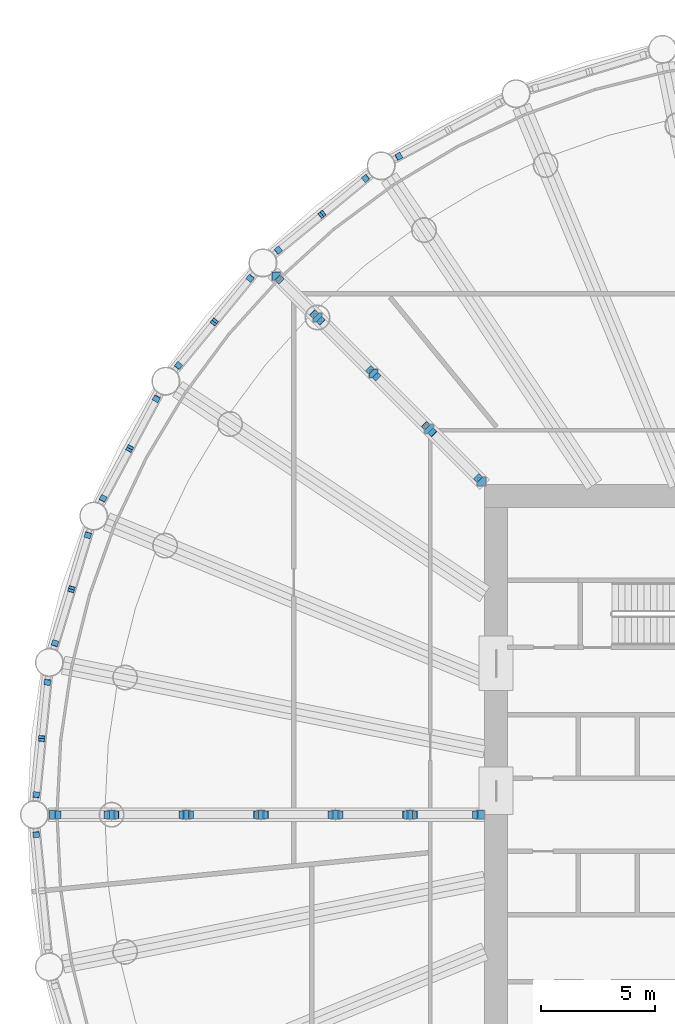
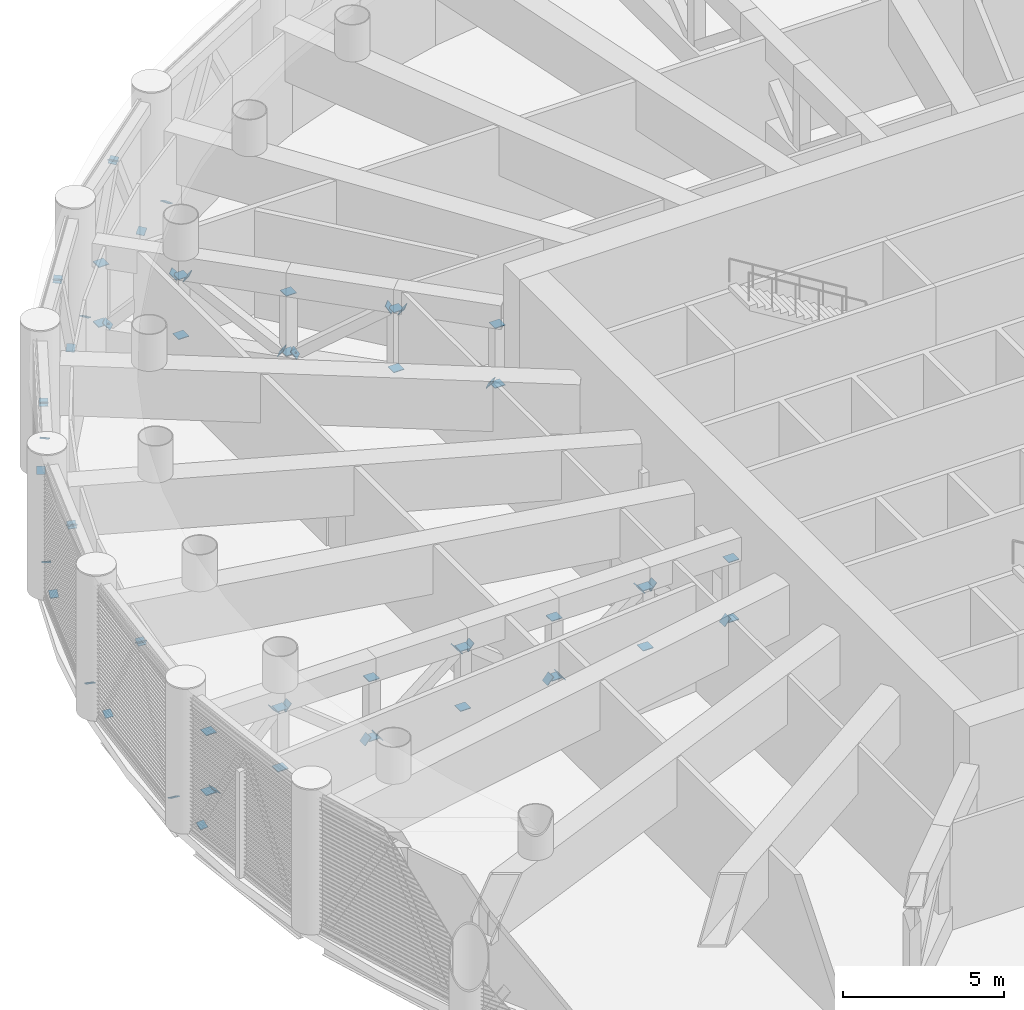
# One storey, part 18 of 29: 66 discrete accessories.
"""IFC4 building model written with IfcOpenShell, lengths in metres."""

from ifc_helpers import new_model, si_unit, direction, frame, origin, origin_2d, place, context, subcontext, project, spatial, rectangle, extrude, material, material_profile, profile_set, type_object, element, save


model = new_model("IFC4")

# Units and contexts
model_context = context("Model", 3, precision=1e-05, world=origin(), true_north=direction((0.0, 1.0)))
body_context = subcontext(model_context, "Body", "Model", "MODEL_VIEW")
ifc_project = project(units=[si_unit("LENGTHUNIT", "METRE"), si_unit("AREAUNIT", "SQUARE_METRE"), si_unit("VOLUMEUNIT", "CUBIC_METRE"), si_unit("PLANEANGLEUNIT", "RADIAN"), si_unit("MASSUNIT", "GRAM", prefix="KILO")], contexts=[model_context])

# Site, building, storey
site_placement = place(None, origin())
site = spatial("IfcSite", under=ifc_project, at=site_placement, CompositionType="ELEMENT")
building_placement = place(site_placement, origin())
building = spatial("IfcBuilding", under=site, at=building_placement, Name="Corvane Civic Tower", CompositionType="ELEMENT")
storey_placement = place(building_placement, frame((0.0, 0.0, 138.5)))
storey = spatial("IfcBuildingStorey", under=building, at=storey_placement, Name="L32", CompositionType="ELEMENT", Elevation=138.5)

# Discrete accessories
ifc_material_1 = material(Name="Steel ASTM A572 Gr 50", Category="steel")
ifc_material_profile_1 = material_profile(ifc_material_1, rectangle(XDim=0.2802734375, YDim=0.2802734375, at=origin_2d()), Name="GUSSET PLATE 25 IN HSS12X12X1/2")
ifc_profile_set_1 = profile_set([ifc_material_profile_1], Name="Steel ASTM A572 Gr 50")
discrete_accessory_type_1 = type_object("IfcDiscreteAccessoryType", Name="GUSSET PLATE 25 IN HSS12X12X1/2", PredefinedType="BRACKET", material=ifc_profile_set_1)
for number, where, z_axis, x_axis, name in (
    (1, (-34.21435546875, -0.870849609375, 0.406494140625), (0.049340770535, -0.493407705348, 0.868397561412), (0.99503719021, 0.099503719021, 0.0), "Gusset plate BD1 end A"),
    (2, (-34.21435546875, 0.870849609375, 0.406494140625), (0.049340770535, 0.493407705348, 0.868397561412), (-0.99503719021, 0.099503719021, 0.0), "Gusset plate BD1 end A"),
):
    element("IfcDiscreteAccessory", number, at=place(storey_placement, frame(where, z_axis=z_axis, x_axis=x_axis)), inside=storey, type_object=discrete_accessory_type_1, Name=name, PredefinedType="BRACKET", context=body_context, shape_type="SweptSolid", body=[
        extrude(rectangle(XDim=0.2802734375, YDim=0.2802734375, at=origin_2d()), origin(), (0.0, 0.0, 1.0), 0.024658203125),
    ])
discrete_accessory_1_placement = place(storey_placement, frame((-33.970458984375, 3.345947265625, 4.74365234375), z_axis=(-0.048686161046, -0.496598842672, -0.866613666624), x_axis=(0.99522852512, -0.097571424031, 0.0)))
element("IfcDiscreteAccessory", 3, at=discrete_accessory_1_placement, inside=storey, type_object=discrete_accessory_type_1, Name="Gusset plate BD1 end B", PredefinedType="BRACKET", context=body_context, shape_type="SweptSolid", body=[
    extrude(rectangle(XDim=0.2802734375, YDim=0.2802734375, at=origin_2d()), origin(), (0.0, 0.0, 1.0), 0.025146484375),
])
discrete_accessory_2_placement = place(storey_placement, frame((-33.7265625, 5.82080078125, 0.406494140625), z_axis=(-0.049340770535, -0.493407705348, 0.868397561412), x_axis=(0.99503719021, -0.099503719021, 0.0)))
element("IfcDiscreteAccessory", 4, at=discrete_accessory_2_placement, inside=storey, type_object=discrete_accessory_type_1, Name="Gusset plate BD1 end A", PredefinedType="BRACKET", context=body_context, shape_type="SweptSolid", body=[
    extrude(rectangle(XDim=0.2802734375, YDim=0.2802734375, at=origin_2d()), origin(), (0.0, 0.0, 1.0), 0.024658203125),
])
discrete_accessory_3_placement = place(storey_placement, frame((-33.970458984375, 3.345947265625, 4.74365234375), z_axis=(0.048920962564, 0.489209625642, -0.870793133643), x_axis=(-0.99503719021, 0.099503719021, 0.0)))
element("IfcDiscreteAccessory", 5, at=discrete_accessory_3_placement, inside=storey, type_object=discrete_accessory_type_1, Name="Gusset plate BD1 end B", PredefinedType="BRACKET", context=body_context, shape_type="SweptSolid", body=[
    extrude(rectangle(XDim=0.2802734375, YDim=0.2802734375, at=origin_2d()), origin(), (0.0, 0.0, 1.0), 0.02490234375),
])
discrete_accessory_4_placement = place(storey_placement, frame((-33.386962890625, 7.529052734375, 0.406494140625), z_axis=(0.147993491061, 0.473579171394, 0.868228480888), x_axis=(-0.954479978035, 0.298274993136, 0.0)))
element("IfcDiscreteAccessory", 6, at=discrete_accessory_4_placement, inside=storey, type_object=discrete_accessory_type_1, Name="Gusset plate BD1 end A", PredefinedType="BRACKET", context=body_context, shape_type="SweptSolid", body=[
    extrude(rectangle(XDim=0.2802734375, YDim=0.2802734375, at=origin_2d()), origin(), (0.0, 0.0, 1.0), 0.024658203125),
])
discrete_accessory_5_placement = place(storey_placement, frame((-32.6650390625, 9.90869140625, 4.74365234375), z_axis=(-0.137142902838, -0.470204238302, -0.871837025185), x_axis=(0.96, -0.28, 0.0)))
element("IfcDiscreteAccessory", 7, at=discrete_accessory_5_placement, inside=storey, type_object=discrete_accessory_type_1, Name="Gusset plate BD1 end B", PredefinedType="BRACKET", context=body_context, shape_type="SweptSolid", body=[
    extrude(rectangle(XDim=0.2802734375, YDim=0.2802734375, at=origin_2d()), origin(), (0.0, 0.0, 1.0), 0.02490234375),
])
discrete_accessory_6_placement = place(storey_placement, frame((-31.94287109375, 12.28857421875, 0.406494140625), z_axis=(-0.147993491061, -0.473579171394, 0.868228480888), x_axis=(0.954479978035, -0.298274993136, 0.0)))
element("IfcDiscreteAccessory", 8, at=discrete_accessory_6_placement, inside=storey, type_object=discrete_accessory_type_1, Name="Gusset plate BD1 end A", PredefinedType="BRACKET", context=body_context, shape_type="SweptSolid", body=[
    extrude(rectangle(XDim=0.2802734375, YDim=0.2802734375, at=origin_2d()), origin(), (0.0, 0.0, 1.0), 0.024658203125),
])
discrete_accessory_7_placement = place(storey_placement, frame((-32.6650390625, 9.90869140625, 4.74365234375), z_axis=(0.146058483139, 0.477124378254, -0.866613666624), x_axis=(-0.956199955507, 0.292714272094, 0.0)))
element("IfcDiscreteAccessory", 9, at=discrete_accessory_7_placement, inside=storey, type_object=discrete_accessory_type_1, Name="Gusset plate BD1 end B", PredefinedType="BRACKET", context=body_context, shape_type="SweptSolid", body=[
    extrude(rectangle(XDim=0.2802734375, YDim=0.2802734375, at=origin_2d()), origin(), (0.0, 0.0, 1.0), 0.025146484375),
])
discrete_accessory_8_placement = place(storey_placement, frame((-31.276611328125, 13.897705078125, 0.406494140625), z_axis=(0.2359641329, 0.442432749188, 0.865201820635), x_axis=(-0.882352941176, 0.470588235294, 0.0)))
element("IfcDiscreteAccessory", 10, at=discrete_accessory_8_placement, inside=storey, type_object=discrete_accessory_type_1, Name="Gusset plate BD1 end A", PredefinedType="BRACKET", context=body_context, shape_type="SweptSolid", body=[
    extrude(rectangle(XDim=0.2802734375, YDim=0.2802734375, at=origin_2d()), origin(), (0.0, 0.0, 1.0), 0.02490234375),
])
discrete_accessory_9_placement = place(storey_placement, frame((-30.104248046875, 16.091064453125, 4.74365234375), z_axis=(-0.233971033255, -0.438695687352, -0.867642581652), x_axis=(0.882352941176, -0.470588235294, 0.0)))
element("IfcDiscreteAccessory", 11, at=discrete_accessory_9_placement, inside=storey, type_object=discrete_accessory_type_1, Name="Gusset plate BD1 end B", PredefinedType="BRACKET", context=body_context, shape_type="SweptSolid", body=[
    extrude(rectangle(XDim=0.2802734375, YDim=0.2802734375, at=origin_2d()), origin(), (0.0, 0.0, 1.0), 0.025146484375),
])
discrete_accessory_10_placement = place(storey_placement, frame((-28.931640625, 18.284423828125, 0.406494140625), z_axis=(-0.2359641329, -0.442432749188, 0.865201820635), x_axis=(0.882352941176, -0.470588235294, 0.0)))
element("IfcDiscreteAccessory", 12, at=discrete_accessory_10_placement, inside=storey, type_object=discrete_accessory_type_1, Name="Gusset plate BD1 end A", PredefinedType="BRACKET", context=body_context, shape_type="SweptSolid", body=[
    extrude(rectangle(XDim=0.2802734375, YDim=0.2802734375, at=origin_2d()), origin(), (0.0, 0.0, 1.0), 0.02490234375),
])
discrete_accessory_11_placement = place(storey_placement, frame((-30.104248046875, 16.091064453125, 4.74365234375), z_axis=(0.233971033255, 0.438695687352, -0.867642581652), x_axis=(-0.882352941176, 0.470588235294, 0.0)))
element("IfcDiscreteAccessory", 13, at=discrete_accessory_11_placement, inside=storey, type_object=discrete_accessory_type_1, Name="Gusset plate BD1 end B", PredefinedType="BRACKET", context=body_context, shape_type="SweptSolid", body=[
    extrude(rectangle(XDim=0.2802734375, YDim=0.2802734375, at=origin_2d()), origin(), (0.0, 0.0, 1.0), 0.025146484375),
])
discrete_accessory_12_placement = place(storey_placement, frame((-27.964111328125, 19.732421875, 0.406494140625), z_axis=(0.314269680527, 0.392837100659, 0.86424162145), x_axis=(-0.780868809443, 0.624695047554, 0.0)))
element("IfcDiscreteAccessory", 14, at=discrete_accessory_12_placement, inside=storey, type_object=discrete_accessory_type_1, Name="Gusset plate BD1 end A", PredefinedType="BRACKET", context=body_context, shape_type="SweptSolid", body=[
    extrude(rectangle(XDim=0.2802734375, YDim=0.2802734375, at=origin_2d()), origin(), (0.0, 0.0, 1.0), 0.02490234375),
])
discrete_accessory_13_placement = place(storey_placement, frame((-26.386474609375, 21.655029296875, 4.74365234375), z_axis=(-0.311620978032, -0.38952622254, -0.866695845152), x_axis=(0.780868809443, -0.624695047554, 0.0)))
element("IfcDiscreteAccessory", 15, at=discrete_accessory_13_placement, inside=storey, type_object=discrete_accessory_type_1, Name="Gusset plate BD1 end B", PredefinedType="BRACKET", context=body_context, shape_type="SweptSolid", body=[
    extrude(rectangle(XDim=0.2802734375, YDim=0.2802734375, at=origin_2d()), origin(), (0.0, 0.0, 1.0), 0.025146484375),
])
for number, where, z_axis, x_axis, name in (
    (16, (-24.808837890625, 23.577392578125, 0.406494140625), (-0.314269680527, -0.392837100659, 0.86424162145), (0.780868809443, -0.624695047554, 0.0), "Gusset plate BD1 end A"),
    (17, (-26.386474609375, 21.655029296875, 4.74365234375), (0.312794863755, 0.381218740201, -0.869960714819), (-0.773073370483, 0.634316611678, 0.0), "Gusset plate BD1 end B"),
    (18, (-23.577392578125, 24.808837890625, 0.406494140625), (0.392837100659, 0.314269680527, 0.86424162145), (-0.624695047554, 0.780868809443, 0.0), "Gusset plate BD1 end A"),
    (19, (-21.655029296875, 26.386474609375, 4.74365234375), (-0.381218740201, -0.312794863755, -0.869960714819), (0.634316611678, -0.773073370483, 0.0), "Gusset plate BD1 end B"),
    (20, (-19.732421875, 27.964111328125, 0.406494140625), (-0.392837100659, -0.314269680527, 0.86424162145), (0.624695047554, -0.780868809443, 0.0), "Gusset plate BD1 end A"),
):
    element("IfcDiscreteAccessory", number, at=place(storey_placement, frame(where, z_axis=z_axis, x_axis=x_axis)), inside=storey, type_object=discrete_accessory_type_1, Name=name, PredefinedType="BRACKET", context=body_context, shape_type="SweptSolid", body=[
        extrude(rectangle(XDim=0.2802734375, YDim=0.2802734375, at=origin_2d()), origin(), (0.0, 0.0, 1.0), 0.02490234375),
    ])
discrete_accessory_14_placement = place(storey_placement, frame((-21.655029296875, 26.386474609375, 4.74365234375), z_axis=(0.38952622254, 0.311620978032, -0.866695845152), x_axis=(-0.624695047554, 0.780868809443, 0.0)))
element("IfcDiscreteAccessory", 21, at=discrete_accessory_14_placement, inside=storey, type_object=discrete_accessory_type_1, Name="Gusset plate BD1 end B", PredefinedType="BRACKET", context=body_context, shape_type="SweptSolid", body=[
    extrude(rectangle(XDim=0.2802734375, YDim=0.2802734375, at=origin_2d()), origin(), (0.0, 0.0, 1.0), 0.025146484375),
])
discrete_accessory_15_placement = place(storey_placement, frame((-18.284423828125, 28.931640625, 0.406494140625), z_axis=(0.442432749188, 0.2359641329, 0.865201820635), x_axis=(-0.470588235294, 0.882352941176, 0.0)))
element("IfcDiscreteAccessory", 22, at=discrete_accessory_15_placement, inside=storey, type_object=discrete_accessory_type_1, Name="Gusset plate BD1 end A", PredefinedType="BRACKET", context=body_context, shape_type="SweptSolid", body=[
    extrude(rectangle(XDim=0.2802734375, YDim=0.2802734375, at=origin_2d()), origin(), (0.0, 0.0, 1.0), 0.02490234375),
])
ifc_material_2 = material(Name="Steel ASTM A572 Gr 50", Category="steel")
ifc_material_profile_2 = material_profile(ifc_material_2, rectangle(XDim=0.3310546875, YDim=0.3310546875, at=origin_2d()), Name="GUSSET PLATE 25 IN HSS14X14X1/2")
ifc_profile_set_2 = profile_set([ifc_material_profile_2], Name="Steel ASTM A572 Gr 50")
discrete_accessory_type_2 = type_object("IfcDiscreteAccessoryType", Name="GUSSET PLATE 25 IN HSS14X14X1/2", PredefinedType="BRACKET", material=ifc_profile_set_2)
discrete_accessory_16_placement = place(storey_placement, frame((-14.906494140625, 0.0, 0.89990234375), z_axis=(-0.75439456107, 0.0, 0.656421241451), x_axis=(0.0, -1.0, 0.0)))
element("IfcDiscreteAccessory", 23, at=discrete_accessory_16_placement, inside=storey, type_object=discrete_accessory_type_2, Name="Gusset plate OD1 end A", PredefinedType="BRACKET", context=body_context, shape_type="SweptSolid", body=[
    extrude(rectangle(XDim=0.3310546875, YDim=0.3310546875, at=origin_2d()), origin(), (0.0, 0.0, 1.0), 0.02490234375),
])
discrete_accessory_17_placement = place(storey_placement, frame((-17.576904296875, 0.0, 3.199951171875), z_axis=(0.75856969154, 0.0, -0.651591914528), x_axis=(0.0, 1.0, 0.0)))
element("IfcDiscreteAccessory", 24, at=discrete_accessory_17_placement, inside=storey, type_object=discrete_accessory_type_2, Name="Gusset plate OD1 end B", PredefinedType="BRACKET", context=body_context, shape_type="SweptSolid", body=[
    extrude(rectangle(XDim=0.3310546875, YDim=0.3310546875, at=origin_2d()), origin(), (0.0, 0.0, 1.0), 0.025146484375),
])
for number, where, z_axis, x_axis, name in (
    (25, (-17.983154296875, 0.0, 3.199951171875), (-0.780868809443, 0.0, -0.624695047554), (0.0, -1.0, 0.0), "Gusset plate OD1 end A"),
    (26, (-20.856689453125, 0.0, 0.89990234375), (0.780868809443, 0.0, 0.624695047554), (0.0, 1.0, 0.0), "Gusset plate OD1 end B"),
    (27, (-21.26318359375, 0.0, 0.89990234375), (-0.780868809443, 0.0, 0.624695047554), (0.0, -1.0, 0.0), "Gusset plate OD1 end A"),
    (28, (-24.13671875, 0.0, 3.199951171875), (0.780868809443, 0.0, -0.624695047554), (0.0, 1.0, 0.0), "Gusset plate OD1 end B"),
    (29, (-24.543212890625, 0.0, 3.199951171875), (-0.780868809443, 0.0, -0.624695047554), (0.0, -1.0, 0.0), "Gusset plate OD1 end A"),
    (30, (-27.416748046875, 0.0, 0.89990234375), (0.780868809443, 0.0, 0.624695047554), (0.0, 1.0, 0.0), "Gusset plate OD1 end B"),
    (31, (-27.8232421875, 0.0, 0.89990234375), (-0.780868809443, 0.0, 0.624695047554), (0.0, -1.0, 0.0), "Gusset plate OD1 end A"),
    (32, (-30.69677734375, 0.0, 3.199951171875), (0.780868809443, 0.0, -0.624695047554), (0.0, 1.0, 0.0), "Gusset plate OD1 end B"),
    (33, (-31.103271484375, 0.0, 3.199951171875), (-0.687199853876, 0.0, -0.726468416955), (0.0, -1.0, 0.0), "Gusset plate OD1 end A"),
):
    element("IfcDiscreteAccessory", number, at=place(storey_placement, frame(where, z_axis=z_axis, x_axis=x_axis)), inside=storey, type_object=discrete_accessory_type_2, Name=name, PredefinedType="BRACKET", context=body_context, shape_type="SweptSolid", body=[
        extrude(rectangle(XDim=0.3310546875, YDim=0.3310546875, at=origin_2d()), origin(), (0.0, 0.0, 1.0), 0.02490234375),
    ])
discrete_accessory_18_placement = place(storey_placement, frame((-33.2685546875, 0.0, 0.89990234375), z_axis=(0.68231825036, 0.0, 0.731055268243), x_axis=(0.0, 1.0, 0.0)))
element("IfcDiscreteAccessory", 34, at=discrete_accessory_18_placement, inside=storey, type_object=discrete_accessory_type_2, Name="Gusset plate OD1 end B", PredefinedType="BRACKET", context=body_context, shape_type="SweptSolid", body=[
    extrude(rectangle(XDim=0.3310546875, YDim=0.3310546875, at=origin_2d()), origin(), (0.0, 0.0, 1.0), 0.025146484375),
])
for number, where, z_axis, x_axis, name in (
    (35, (-14.787353515625, 14.787353515625, 0.89990234375), (-0.546582129591, 0.546582129591, 0.634425686132), (-0.707106781187, -0.707106781187, 0.0), "Gusset plate OD1 end A"),
    (36, (-16.80615234375, 16.80615234375, 3.199951171875), (0.549971940923, -0.549971940923, -0.628539361055), (0.707106781187, 0.707106781187, 0.0), "Gusset plate OD1 end B"),
    (37, (-17.093505859375, 17.093505859375, 3.199951171875), (-0.567401695188, 0.567401695188, -0.596750058732), (-0.707106781187, -0.707106781187, 0.0), "Gusset plate OD1 end A"),
):
    element("IfcDiscreteAccessory", number, at=place(storey_placement, frame(where, z_axis=z_axis, x_axis=x_axis)), inside=storey, type_object=discrete_accessory_type_2, Name=name, PredefinedType="BRACKET", context=body_context, shape_type="SweptSolid", body=[
        extrude(rectangle(XDim=0.3310546875, YDim=0.3310546875, at=origin_2d()), origin(), (0.0, 0.0, 1.0), 0.02490234375),
    ])
for number, where, z_axis, x_axis, name in (
    (38, (-19.256103515625, 19.256103515625, 0.89990234375), (0.564091319087, -0.564091319087, 0.602994168679), (0.707106781187, 0.707106781187, 0.0), "Gusset plate OD1 end B"),
    (39, (-19.54345703125, 19.54345703125, 0.89990234375), (-0.564091319087, 0.564091319087, 0.602994168679), (-0.707106781187, -0.707106781187, 0.0), "Gusset plate OD1 end A"),
):
    element("IfcDiscreteAccessory", number, at=place(storey_placement, frame(where, z_axis=z_axis, x_axis=x_axis)), inside=storey, type_object=discrete_accessory_type_2, Name=name, PredefinedType="BRACKET", context=body_context, shape_type="SweptSolid", body=[
        extrude(rectangle(XDim=0.3310546875, YDim=0.3310546875, at=origin_2d()), origin(), (0.0, 0.0, 1.0), 0.025146484375),
    ])
discrete_accessory_19_placement = place(storey_placement, frame((-21.705810546875, 21.705810546875, 3.199951171875), z_axis=(0.563859180868, -0.563859180868, -0.603428246192), x_axis=(0.707106781187, 0.707106781187, 0.0)))
element("IfcDiscreteAccessory", 40, at=discrete_accessory_19_placement, inside=storey, type_object=discrete_accessory_type_2, Name="Gusset plate OD1 end B", PredefinedType="BRACKET", context=body_context, shape_type="SweptSolid", body=[
    extrude(rectangle(XDim=0.3310546875, YDim=0.3310546875, at=origin_2d()), origin(), (0.0, 0.0, 1.0), 0.024658203125),
])
for number, where, z_axis, x_axis, name in (
    (41, (-21.9931640625, 21.9931640625, 3.199951171875), (-0.488508651467, 0.488508651467, -0.722992804171), (-0.707106781187, -0.707106781187, 0.0), "Gusset plate OD1 end A"),
    (42, (-23.5244140625, 23.5244140625, 0.89990234375), (0.479862037013, -0.479862037013, 0.734482709713), (0.707106781187, 0.707106781187, 0.0), "Gusset plate OD1 end B"),
):
    element("IfcDiscreteAccessory", number, at=place(storey_placement, frame(where, z_axis=z_axis, x_axis=x_axis)), inside=storey, type_object=discrete_accessory_type_2, Name=name, PredefinedType="BRACKET", context=body_context, shape_type="SweptSolid", body=[
        extrude(rectangle(XDim=0.3310546875, YDim=0.3310546875, at=origin_2d()), origin(), (0.0, 0.0, 1.0), 0.02490234375),
    ])
ifc_material_3 = material(Name="Steel ASTM A572 Gr 50", Category="steel")
ifc_material_profile_3 = material_profile(ifc_material_3, rectangle(XDim=0.3759765625, YDim=0.3759765625, at=origin_2d()), Name="GUSSET PLATE 25 IN HSS16X16X5/8")
ifc_profile_set_3 = profile_set([ifc_material_profile_3], Name="Steel ASTM A572 Gr 50")
discrete_accessory_type_3 = type_object("IfcDiscreteAccessoryType", Name="GUSSET PLATE 25 IN HSS16X16X5/8", PredefinedType="BRACKET", material=ifc_profile_set_3)
discrete_accessory_20_placement = place(storey_placement, frame((-14.703125, 0.0, 0.89990234375), z_axis=(0.0, 0.0, 1.0), x_axis=(1.0, 0.0, 0.0)))
element("IfcDiscreteAccessory", 43, at=discrete_accessory_20_placement, inside=storey, type_object=discrete_accessory_type_3, Name="Gusset plate OP1 end A", PredefinedType="BRACKET", context=body_context, shape_type="SweptSolid", body=[
    extrude(rectangle(XDim=0.3759765625, YDim=0.3759765625, at=origin_2d()), origin(), (0.0, 0.0, 1.0), 0.025146484375),
])
discrete_accessory_21_placement = place(storey_placement, frame((-14.703125, 0.0, 3.199951171875), z_axis=(0.0, 0.0, -1.0), x_axis=(1.0, 0.0, 0.0)))
element("IfcDiscreteAccessory", 44, at=discrete_accessory_21_placement, inside=storey, type_object=discrete_accessory_type_3, Name="Gusset plate OP1 end B", PredefinedType="BRACKET", context=body_context, shape_type="SweptSolid", body=[
    extrude(rectangle(XDim=0.3759765625, YDim=0.3759765625, at=origin_2d()), origin(), (0.0, 0.0, 1.0), 0.02490234375),
])
discrete_accessory_22_placement = place(storey_placement, frame((-17.780029296875, 0.0, 0.89990234375), z_axis=(0.0, 0.0, 1.0), x_axis=(1.0, 0.0, 0.0)))
element("IfcDiscreteAccessory", 45, at=discrete_accessory_22_placement, inside=storey, type_object=discrete_accessory_type_3, Name="Gusset plate OP1 end A", PredefinedType="BRACKET", context=body_context, shape_type="SweptSolid", body=[
    extrude(rectangle(XDim=0.3759765625, YDim=0.3759765625, at=origin_2d()), origin(), (0.0, 0.0, 1.0), 0.025146484375),
])
discrete_accessory_23_placement = place(storey_placement, frame((-17.780029296875, 0.0, 3.199951171875), z_axis=(0.0, 0.0, -1.0), x_axis=(1.0, 0.0, 0.0)))
element("IfcDiscreteAccessory", 46, at=discrete_accessory_23_placement, inside=storey, type_object=discrete_accessory_type_3, Name="Gusset plate OP1 end B", PredefinedType="BRACKET", context=body_context, shape_type="SweptSolid", body=[
    extrude(rectangle(XDim=0.3759765625, YDim=0.3759765625, at=origin_2d()), origin(), (0.0, 0.0, 1.0), 0.02490234375),
])
discrete_accessory_24_placement = place(storey_placement, frame((-21.06005859375, 0.0, 0.89990234375), z_axis=(0.0, 0.0, 1.0), x_axis=(1.0, 0.0, 0.0)))
element("IfcDiscreteAccessory", 47, at=discrete_accessory_24_placement, inside=storey, type_object=discrete_accessory_type_3, Name="Gusset plate OP1 end A", PredefinedType="BRACKET", context=body_context, shape_type="SweptSolid", body=[
    extrude(rectangle(XDim=0.3759765625, YDim=0.3759765625, at=origin_2d()), origin(), (0.0, 0.0, 1.0), 0.025146484375),
])
discrete_accessory_25_placement = place(storey_placement, frame((-21.06005859375, 0.0, 3.199951171875), z_axis=(0.0, 0.0, -1.0), x_axis=(1.0, 0.0, 0.0)))
element("IfcDiscreteAccessory", 48, at=discrete_accessory_25_placement, inside=storey, type_object=discrete_accessory_type_3, Name="Gusset plate OP1 end B", PredefinedType="BRACKET", context=body_context, shape_type="SweptSolid", body=[
    extrude(rectangle(XDim=0.3759765625, YDim=0.3759765625, at=origin_2d()), origin(), (0.0, 0.0, 1.0), 0.02490234375),
])
discrete_accessory_26_placement = place(storey_placement, frame((-24.340087890625, 0.0, 0.89990234375), z_axis=(0.0, 0.0, 1.0), x_axis=(1.0, 0.0, 0.0)))
element("IfcDiscreteAccessory", 49, at=discrete_accessory_26_placement, inside=storey, type_object=discrete_accessory_type_3, Name="Gusset plate OP1 end A", PredefinedType="BRACKET", context=body_context, shape_type="SweptSolid", body=[
    extrude(rectangle(XDim=0.3759765625, YDim=0.3759765625, at=origin_2d()), origin(), (0.0, 0.0, 1.0), 0.025146484375),
])
discrete_accessory_27_placement = place(storey_placement, frame((-24.340087890625, 0.0, 3.199951171875), z_axis=(0.0, 0.0, -1.0), x_axis=(1.0, 0.0, 0.0)))
element("IfcDiscreteAccessory", 50, at=discrete_accessory_27_placement, inside=storey, type_object=discrete_accessory_type_3, Name="Gusset plate OP1 end B", PredefinedType="BRACKET", context=body_context, shape_type="SweptSolid", body=[
    extrude(rectangle(XDim=0.3759765625, YDim=0.3759765625, at=origin_2d()), origin(), (0.0, 0.0, 1.0), 0.02490234375),
])
discrete_accessory_28_placement = place(storey_placement, frame((-27.6201171875, 0.0, 0.89990234375), z_axis=(0.0, 0.0, 1.0), x_axis=(1.0, 0.0, 0.0)))
element("IfcDiscreteAccessory", 51, at=discrete_accessory_28_placement, inside=storey, type_object=discrete_accessory_type_3, Name="Gusset plate OP1 end A", PredefinedType="BRACKET", context=body_context, shape_type="SweptSolid", body=[
    extrude(rectangle(XDim=0.3759765625, YDim=0.3759765625, at=origin_2d()), origin(), (0.0, 0.0, 1.0), 0.025146484375),
])
discrete_accessory_29_placement = place(storey_placement, frame((-27.6201171875, 0.0, 3.199951171875), z_axis=(0.0, 0.0, -1.0), x_axis=(1.0, 0.0, 0.0)))
element("IfcDiscreteAccessory", 52, at=discrete_accessory_29_placement, inside=storey, type_object=discrete_accessory_type_3, Name="Gusset plate OP1 end B", PredefinedType="BRACKET", context=body_context, shape_type="SweptSolid", body=[
    extrude(rectangle(XDim=0.3759765625, YDim=0.3759765625, at=origin_2d()), origin(), (0.0, 0.0, 1.0), 0.02490234375),
])
discrete_accessory_30_placement = place(storey_placement, frame((-30.89990234375, 0.0, 0.89990234375), z_axis=(0.0, 0.0, 1.0), x_axis=(1.0, 0.0, 0.0)))
element("IfcDiscreteAccessory", 53, at=discrete_accessory_30_placement, inside=storey, type_object=discrete_accessory_type_3, Name="Gusset plate OP1 end A", PredefinedType="BRACKET", context=body_context, shape_type="SweptSolid", body=[
    extrude(rectangle(XDim=0.3759765625, YDim=0.3759765625, at=origin_2d()), origin(), (0.0, 0.0, 1.0), 0.025146484375),
])
discrete_accessory_31_placement = place(storey_placement, frame((-30.89990234375, 0.0, 3.199951171875), z_axis=(0.0, 0.0, -1.0), x_axis=(1.0, 0.0, 0.0)))
element("IfcDiscreteAccessory", 54, at=discrete_accessory_31_placement, inside=storey, type_object=discrete_accessory_type_3, Name="Gusset plate OP1 end B", PredefinedType="BRACKET", context=body_context, shape_type="SweptSolid", body=[
    extrude(rectangle(XDim=0.3759765625, YDim=0.3759765625, at=origin_2d()), origin(), (0.0, 0.0, 1.0), 0.02490234375),
])
discrete_accessory_32_placement = place(storey_placement, frame((-33.4716796875, 0.0, 0.89990234375), z_axis=(0.0, 0.0, 1.0), x_axis=(1.0, 0.0, 0.0)))
element("IfcDiscreteAccessory", 55, at=discrete_accessory_32_placement, inside=storey, type_object=discrete_accessory_type_3, Name="Gusset plate OP1 end A", PredefinedType="BRACKET", context=body_context, shape_type="SweptSolid", body=[
    extrude(rectangle(XDim=0.3759765625, YDim=0.3759765625, at=origin_2d()), origin(), (0.0, 0.0, 1.0), 0.025146484375),
])
discrete_accessory_33_placement = place(storey_placement, frame((-33.4716796875, 0.0, 3.199951171875), z_axis=(0.0, 0.0, -1.0), x_axis=(1.0, 0.0, 0.0)))
element("IfcDiscreteAccessory", 56, at=discrete_accessory_33_placement, inside=storey, type_object=discrete_accessory_type_3, Name="Gusset plate OP1 end B", PredefinedType="BRACKET", context=body_context, shape_type="SweptSolid", body=[
    extrude(rectangle(XDim=0.3759765625, YDim=0.3759765625, at=origin_2d()), origin(), (0.0, 0.0, 1.0), 0.02490234375),
])
discrete_accessory_34_placement = place(storey_placement, frame((-14.643798828125, 14.643798828125, 0.89990234375), z_axis=(0.0, 0.0, 1.0), x_axis=(1.0, 0.0, 0.0)))
element("IfcDiscreteAccessory", 57, at=discrete_accessory_34_placement, inside=storey, type_object=discrete_accessory_type_3, Name="Gusset plate OP1 end A", PredefinedType="BRACKET", context=body_context, shape_type="SweptSolid", body=[
    extrude(rectangle(XDim=0.3759765625, YDim=0.3759765625, at=origin_2d()), origin(), (0.0, 0.0, 1.0), 0.025146484375),
])
discrete_accessory_35_placement = place(storey_placement, frame((-14.643798828125, 14.643798828125, 3.199951171875), z_axis=(0.0, 0.0, -1.0), x_axis=(1.0, 0.0, 0.0)))
element("IfcDiscreteAccessory", 58, at=discrete_accessory_35_placement, inside=storey, type_object=discrete_accessory_type_3, Name="Gusset plate OP1 end B", PredefinedType="BRACKET", context=body_context, shape_type="SweptSolid", body=[
    extrude(rectangle(XDim=0.3759765625, YDim=0.3759765625, at=origin_2d()), origin(), (0.0, 0.0, 1.0), 0.02490234375),
])
discrete_accessory_36_placement = place(storey_placement, frame((-16.949951171875, 16.949951171875, 0.89990234375), z_axis=(0.0, 0.0, 1.0), x_axis=(1.0, 0.0, 0.0)))
element("IfcDiscreteAccessory", 59, at=discrete_accessory_36_placement, inside=storey, type_object=discrete_accessory_type_3, Name="Gusset plate OP1 end A", PredefinedType="BRACKET", context=body_context, shape_type="SweptSolid", body=[
    extrude(rectangle(XDim=0.3759765625, YDim=0.3759765625, at=origin_2d()), origin(), (0.0, 0.0, 1.0), 0.025146484375),
])
discrete_accessory_37_placement = place(storey_placement, frame((-16.949951171875, 16.949951171875, 3.199951171875), z_axis=(0.0, 0.0, -1.0), x_axis=(1.0, 0.0, 0.0)))
element("IfcDiscreteAccessory", 60, at=discrete_accessory_37_placement, inside=storey, type_object=discrete_accessory_type_3, Name="Gusset plate OP1 end B", PredefinedType="BRACKET", context=body_context, shape_type="SweptSolid", body=[
    extrude(rectangle(XDim=0.3759765625, YDim=0.3759765625, at=origin_2d()), origin(), (0.0, 0.0, 1.0), 0.02490234375),
])
discrete_accessory_38_placement = place(storey_placement, frame((-19.399658203125, 19.399658203125, 0.89990234375), z_axis=(0.0, 0.0, 1.0), x_axis=(1.0, 0.0, 0.0)))
element("IfcDiscreteAccessory", 61, at=discrete_accessory_38_placement, inside=storey, type_object=discrete_accessory_type_3, Name="Gusset plate OP1 end A", PredefinedType="BRACKET", context=body_context, shape_type="SweptSolid", body=[
    extrude(rectangle(XDim=0.3759765625, YDim=0.3759765625, at=origin_2d()), origin(), (0.0, 0.0, 1.0), 0.025146484375),
])
discrete_accessory_39_placement = place(storey_placement, frame((-19.399658203125, 19.399658203125, 3.199951171875), z_axis=(0.0, 0.0, -1.0), x_axis=(1.0, 0.0, 0.0)))
element("IfcDiscreteAccessory", 62, at=discrete_accessory_39_placement, inside=storey, type_object=discrete_accessory_type_3, Name="Gusset plate OP1 end B", PredefinedType="BRACKET", context=body_context, shape_type="SweptSolid", body=[
    extrude(rectangle(XDim=0.3759765625, YDim=0.3759765625, at=origin_2d()), origin(), (0.0, 0.0, 1.0), 0.02490234375),
])
discrete_accessory_40_placement = place(storey_placement, frame((-21.849609375, 21.849609375, 0.89990234375), z_axis=(0.0, 0.0, 1.0), x_axis=(1.0, 0.0, 0.0)))
element("IfcDiscreteAccessory", 63, at=discrete_accessory_40_placement, inside=storey, type_object=discrete_accessory_type_3, Name="Gusset plate OP1 end A", PredefinedType="BRACKET", context=body_context, shape_type="SweptSolid", body=[
    extrude(rectangle(XDim=0.3759765625, YDim=0.3759765625, at=origin_2d()), origin(), (0.0, 0.0, 1.0), 0.025146484375),
])
discrete_accessory_41_placement = place(storey_placement, frame((-21.849609375, 21.849609375, 3.199951171875), z_axis=(0.0, 0.0, -1.0), x_axis=(1.0, 0.0, 0.0)))
element("IfcDiscreteAccessory", 64, at=discrete_accessory_41_placement, inside=storey, type_object=discrete_accessory_type_3, Name="Gusset plate OP1 end B", PredefinedType="BRACKET", context=body_context, shape_type="SweptSolid", body=[
    extrude(rectangle(XDim=0.3759765625, YDim=0.3759765625, at=origin_2d()), origin(), (0.0, 0.0, 1.0), 0.02490234375),
])
discrete_accessory_42_placement = place(storey_placement, frame((-23.668212890625, 23.668212890625, 0.89990234375), z_axis=(0.0, 0.0, 1.0), x_axis=(1.0, 0.0, 0.0)))
element("IfcDiscreteAccessory", 65, at=discrete_accessory_42_placement, inside=storey, type_object=discrete_accessory_type_3, Name="Gusset plate OP1 end A", PredefinedType="BRACKET", context=body_context, shape_type="SweptSolid", body=[
    extrude(rectangle(XDim=0.3759765625, YDim=0.3759765625, at=origin_2d()), origin(), (0.0, 0.0, 1.0), 0.025146484375),
])
discrete_accessory_43_placement = place(storey_placement, frame((-23.668212890625, 23.668212890625, 3.199951171875), z_axis=(0.0, 0.0, -1.0), x_axis=(1.0, 0.0, 0.0)))
element("IfcDiscreteAccessory", 66, at=discrete_accessory_43_placement, inside=storey, type_object=discrete_accessory_type_3, Name="Gusset plate OP1 end B", PredefinedType="BRACKET", context=body_context, shape_type="SweptSolid", body=[
    extrude(rectangle(XDim=0.3759765625, YDim=0.3759765625, at=origin_2d()), origin(), (0.0, 0.0, 1.0), 0.02490234375),
])

save(model, "model.ifc")
